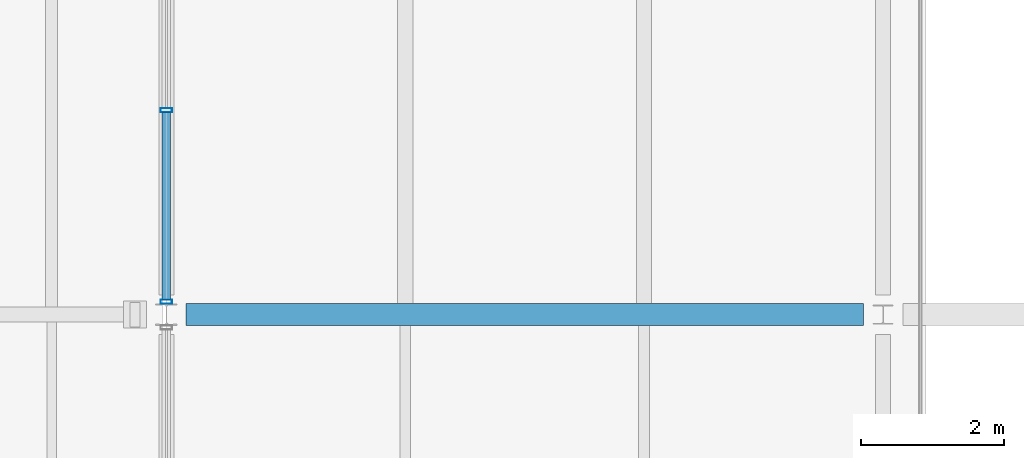
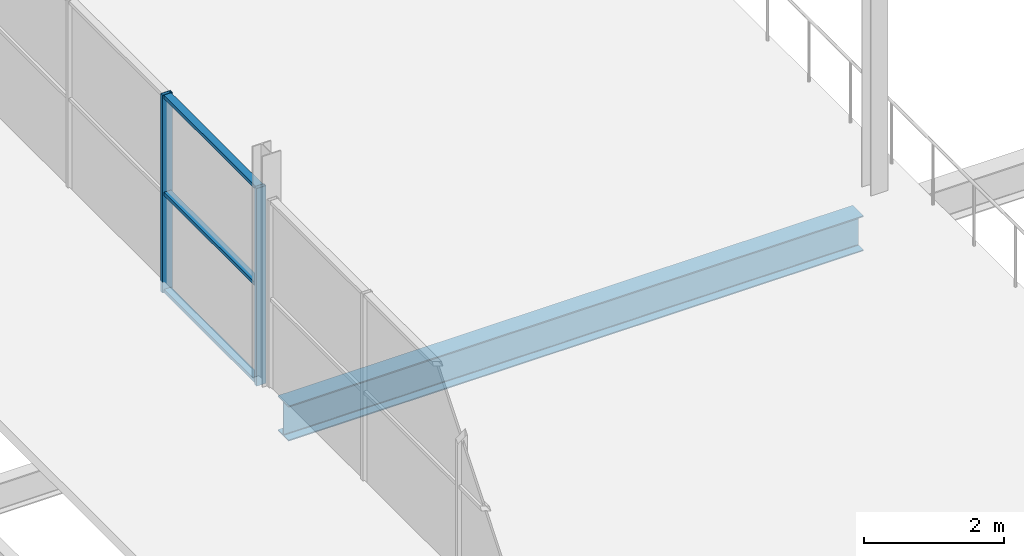
# One storey, part 109 of 161: 5 members, 1 beam, 1 element without a shape of its own.
"""IFC4 building model written with IfcOpenShell, lengths in metres."""

from ifc_helpers import new_model, si_unit, direction, frame, origin, origin_2d, place, context, subcontext, project, spatial, hollow_rectangle, i_section, extrude, material, material_profile, profile_set, type_object, element, aggregate, save


model = new_model("IFC4")

# Units and contexts
model_context = context("Model", 3, precision=1e-05, world=origin(), true_north=direction((0.0, 1.0)))
body_context = subcontext(model_context, "Body", "Model", "MODEL_VIEW")
ifc_project = project(units=[si_unit("LENGTHUNIT", "METRE"), si_unit("AREAUNIT", "SQUARE_METRE"), si_unit("VOLUMEUNIT", "CUBIC_METRE"), si_unit("PLANEANGLEUNIT", "RADIAN"), si_unit("MASSUNIT", "GRAM", prefix="KILO"), si_unit("THERMODYNAMICTEMPERATUREUNIT", "KELVIN")], contexts=[model_context])

# Site, building, storey
site_placement = place(None, origin())
site = spatial("IfcSite", under=ifc_project, at=site_placement, CompositionType="ELEMENT")
building_placement = place(site_placement, origin())
building = spatial("IfcBuilding", under=site, at=building_placement, Name="Nduvali Passage Aquatics Centre", CompositionType="ELEMENT")
storey_placement = place(building_placement, frame((0.0, 0.0, 4.800048828125)))
storey = spatial("IfcBuildingStorey", under=building, at=storey_placement, Name="L01", CompositionType="ELEMENT", Elevation=4.800048828125)

# Curtain wall, members
ifc_material_1 = material(Name="Aluminium EN AW-6063 T6", Category="aluminium")
curtain_wall_type = type_object("IfcCurtainWallType", Name="ENV-CW-FOYR", PredefinedType="NOTDEFINED", material=ifc_material_1)
curtain_wall_placement = place(storey_placement, origin())
curtain_wall = element("IfcCurtainWall", 1, at=curtain_wall_placement, inside=storey, type_object=curtain_wall_type, Name="L01 Passage Foyer Upper CW 076", PredefinedType="NOTDEFINED")
ifc_material_profile_1 = material_profile(ifc_material_1, hollow_rectangle(XDim=0.06005859375, YDim=0.159912109375, WallThickness=0.00390625, at=origin_2d()), Name="ALU MULLION 60x160x4")
ifc_profile_set_1 = profile_set([ifc_material_profile_1], Name="Aluminium EN AW-6063 T6")
member_type_1 = type_object("IfcMemberType", Name="ENV-MEM-MUL60", PredefinedType="MULLION", material=ifc_profile_set_1)
member_1_placement = place(storey_placement, frame((138.0, 67.3798828125, 0.0), z_axis=(0.0, 0.0, 1.0), x_axis=(0.0, 1.0, 0.0)))
member_1 = element("IfcMember", 2, at=member_1_placement, type_object=member_type_1, Name="Passage Foyer Upper CW Mullion 1", PredefinedType="MULLION", context=body_context, shape_type="SweptSolid", body=[
    extrude(hollow_rectangle(XDim=0.06005859375, YDim=0.159912109375, WallThickness=0.00390625, at=origin_2d()), origin(), (0.0, 0.0, 1.0), 3.436279296875),
])
member_2_placement = place(storey_placement, frame((138.0, 70.050048828125, 0.0), z_axis=(0.0, 0.0, 1.0), x_axis=(0.0, 1.0, 0.0)))
member_2 = element("IfcMember", 3, at=member_2_placement, type_object=member_type_1, Name="Passage Foyer Upper CW Mullion 2", PredefinedType="MULLION", context=body_context, shape_type="SweptSolid", body=[
    extrude(hollow_rectangle(XDim=0.06005859375, YDim=0.159912109375, WallThickness=0.00390625, at=origin_2d()), origin(), (0.0, 0.0, 1.0), 3.436279296875),
])
ifc_material_profile_2 = material_profile(ifc_material_1, hollow_rectangle(XDim=0.1201171875, YDim=0.06005859375, WallThickness=0.00390625, at=origin_2d()), Name="ALU TRANSOM 120x60x4")
ifc_profile_set_2 = profile_set([ifc_material_profile_2], Name="Aluminium EN AW-6063 T6")
member_type_2 = type_object("IfcMemberType", Name="ENV-MEM-TRN60", PredefinedType="USERDEFINED", material=ifc_profile_set_2)
member_3_placement = place(storey_placement, frame((138.0, 67.409912109375, 0.030029296875), z_axis=(0.0, 1.0, 0.0), x_axis=(-1.0, 0.0, 0.0)))
member_3 = element("IfcMember", 4, at=member_3_placement, type_object=member_type_2, Name="Passage Foyer Upper CW Transom B1-R0", ObjectType="TRANSOM", PredefinedType="USERDEFINED", context=body_context, shape_type="SweptSolid", body=[
    extrude(hollow_rectangle(XDim=0.1201171875, YDim=0.06005859375, WallThickness=0.00390625, at=origin_2d()), origin(), (0.0, 0.0, 1.0), 2.610107421875),
])
member_4_placement = place(storey_placement, frame((138.0, 67.409912109375, 1.71826171875), z_axis=(0.0, 1.0, 0.0), x_axis=(-1.0, 0.0, 0.0)))
member_4 = element("IfcMember", 5, at=member_4_placement, type_object=member_type_2, Name="Passage Foyer Upper CW Transom B1-R1", ObjectType="TRANSOM", PredefinedType="USERDEFINED", context=body_context, shape_type="SweptSolid", body=[
    extrude(hollow_rectangle(XDim=0.1201171875, YDim=0.06005859375, WallThickness=0.00390625, at=origin_2d()), origin(), (0.0, 0.0, 1.0), 2.610107421875),
])
member_5_placement = place(storey_placement, frame((138.0, 67.409912109375, 3.40625), z_axis=(0.0, 1.0, 0.0), x_axis=(-1.0, 0.0, 0.0)))
member_5 = element("IfcMember", 6, at=member_5_placement, type_object=member_type_2, Name="Passage Foyer Upper CW Transom B1-R2", ObjectType="TRANSOM", PredefinedType="USERDEFINED", context=body_context, shape_type="SweptSolid", body=[
    extrude(hollow_rectangle(XDim=0.1201171875, YDim=0.06005859375, WallThickness=0.00390625, at=origin_2d()), origin(), (0.0, 0.0, 1.0), 2.610107421875),
])
aggregate(curtain_wall, [member_1, member_2, member_3, member_4, member_5])

# Beam
ifc_material_2 = material(Name="Steel S355", Category="steel")
ifc_material_profile_3 = material_profile(ifc_material_2, i_section(OverallWidth=0.3046875, OverallDepth=0.6123046875, WebThickness=0.01171875, FlangeThickness=0.019775390625, FilletRadius=0.0166015625, at=origin_2d()), Name="UKB 610x305x149")
ifc_profile_set_3 = profile_set([ifc_material_profile_3], Name="Steel S355")
beam_type = type_object("IfcBeamType", Name="STR-BM-UKB610W", PredefinedType="BEAM", material=ifc_profile_set_3)
beam_placement = place(storey_placement, frame((138.27490234375, 67.199951171875, -0.59033203125), z_axis=(1.0, 0.0, 0.0), x_axis=(0.0, 1.0, 0.0)))
element("IfcBeam", 7, at=beam_placement, inside=storey, type_object=beam_type, Name="L01 Primary X-Girder B5A-0496", PredefinedType="BEAM", context=body_context, shape_type="SweptSolid", body=[
    extrude(i_section(OverallWidth=0.3046875, OverallDepth=0.6123046875, WebThickness=0.01171875, FlangeThickness=0.019775390625, FilletRadius=0.0166015625, at=origin_2d()), origin(), (0.0, 0.0, 1.0), 9.4501953125),
])

save(model, "model.ifc")
